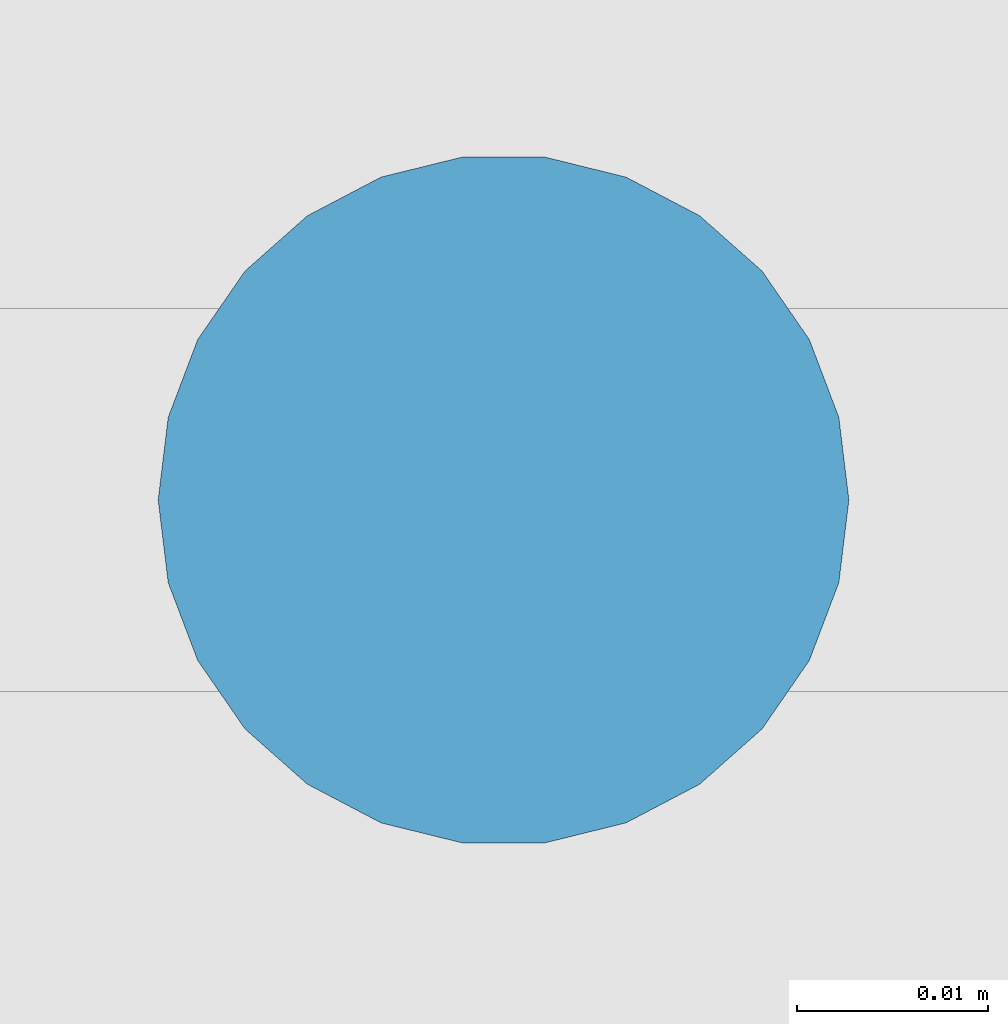
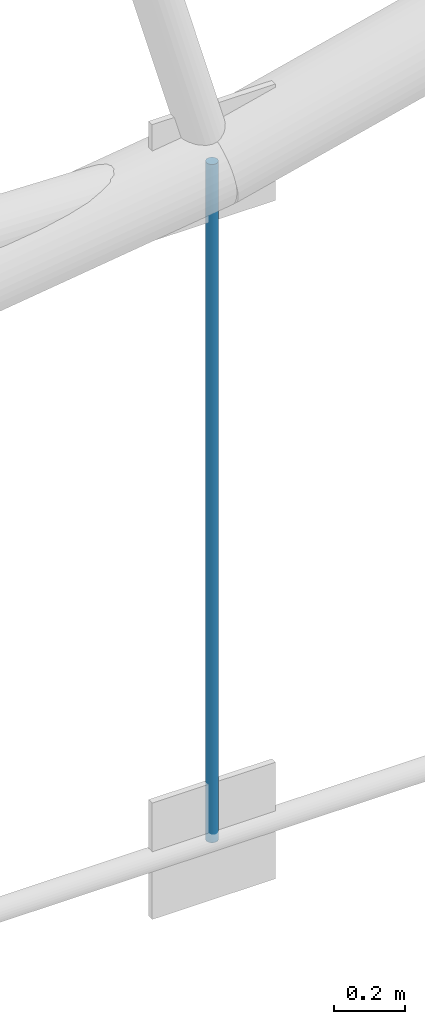
# One storey, part 56 of 321: 1 member.
"""IFC4 building model written with IfcOpenShell, lengths in metres."""

from ifc_helpers import new_model, si_unit, direction, frame, origin, origin_2d, place, context, subcontext, project, spatial, circle, extrude, material, material_profile, profile_set, type_object, element, save


model = new_model("IFC4")

# Units and contexts
model_context = context("Model", 3, precision=1e-05, world=origin(), true_north=direction((0.0, 1.0)))
body_context = subcontext(model_context, "Body", "Model", "MODEL_VIEW")
ifc_project = project(units=[si_unit("LENGTHUNIT", "METRE"), si_unit("AREAUNIT", "SQUARE_METRE"), si_unit("VOLUMEUNIT", "CUBIC_METRE"), si_unit("PLANEANGLEUNIT", "RADIAN"), si_unit("MASSUNIT", "GRAM", prefix="KILO")], contexts=[model_context])

# Site, building, storey
site_placement = place(None, origin())
site = spatial("IfcSite", under=ifc_project, at=site_placement, CompositionType="ELEMENT")
building_placement = place(site_placement, origin())
building = spatial("IfcBuilding", under=site, at=building_placement, Name="Ravi Spectrum Wholesale Market", CompositionType="ELEMENT")
storey_placement = place(building_placement, frame((0.0, 0.0, 10.800048828125)))
storey = spatial("IfcBuildingStorey", under=building, at=storey_placement, Name="L02", CompositionType="ELEMENT", Elevation=10.800048828125)

# Member
ifc_material = material(Name="Steel S355", Category="steel")
ifc_material_profile = material_profile(ifc_material, circle(Radius=0.01806640625, at=origin_2d()))
ifc_profile_set = profile_set([ifc_material_profile], Name="Steel S355")
member_type = type_object("IfcMemberType", Name="ROD 36 hanger", PredefinedType="STRUT", material=ifc_profile_set)
member_placement = place(storey_placement, frame((43.55029296875, 90.0, 0.023193359375), z_axis=(0.0, 0.0, 1.0), x_axis=(1.0, 0.0, 0.0)))
element("IfcMember", 1, at=member_placement, inside=storey, type_object=member_type, Name="H1-MB-L02-482", PredefinedType="STRUT", context=body_context, shape_type="SweptSolid", body=[
    extrude(circle(Radius=0.01806640625, at=origin_2d()), origin(), (0.0, 0.0, 1.0), 2.328857421875),
])

save(model, "model.ifc")
